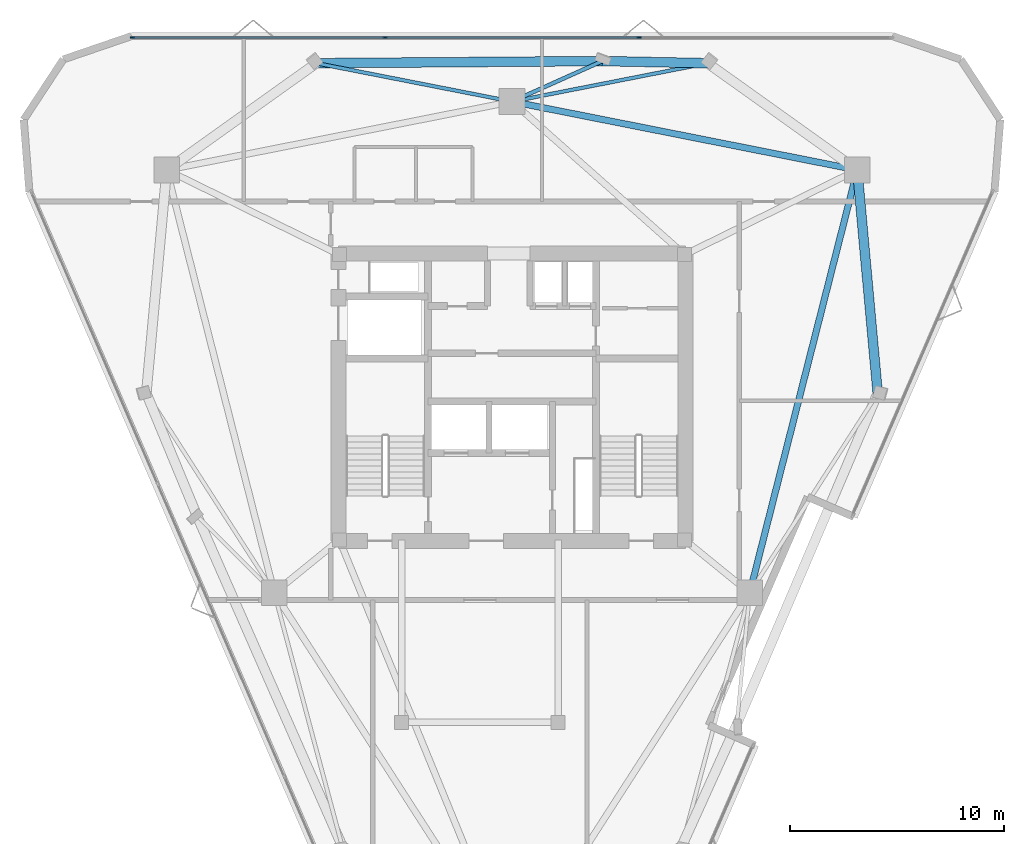
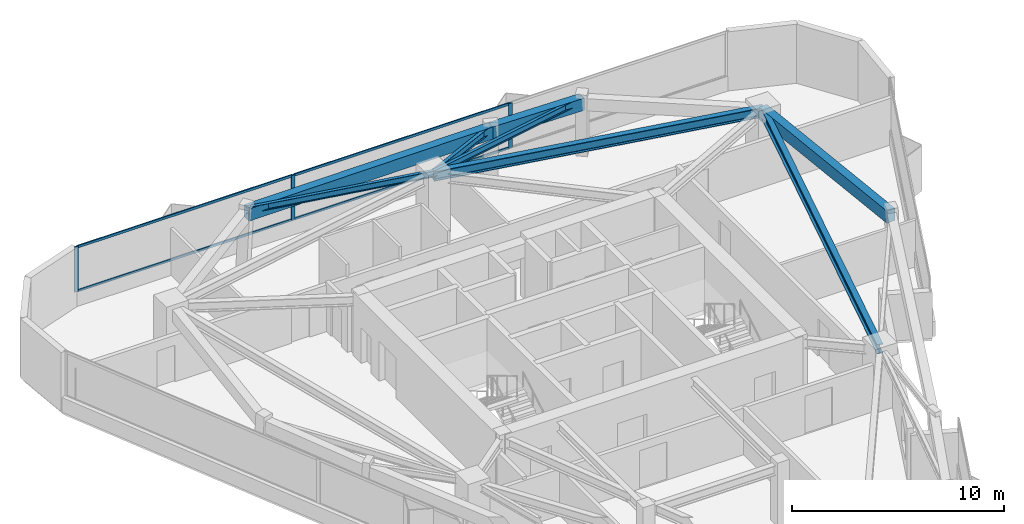
# One storey, part 5 of 10: 8 beams, 7 members, 1 element without a shape of its own.
"""IFC4 building model written with IfcOpenShell, lengths in metres."""

from ifc_helpers import new_model, si_unit, direction, frame, origin, origin_2d, place, context, subcontext, project, spatial, rectangle, i_section, extrude, material, layer, layer_set, material_profile, profile_set, type_object, element, aggregate, save


model = new_model("IFC4")

# Units and contexts
model_context = context("Model", 3, precision=1e-05, world=origin(), true_north=direction((0.0, 1.0)))
body_context = subcontext(model_context, "Body", "Model", "MODEL_VIEW")
ifc_project = project(units=[si_unit("LENGTHUNIT", "METRE"), si_unit("AREAUNIT", "SQUARE_METRE"), si_unit("VOLUMEUNIT", "CUBIC_METRE"), si_unit("PLANEANGLEUNIT", "RADIAN"), si_unit("MASSUNIT", "GRAM", prefix="KILO")], contexts=[model_context])

# Site, building, storey
site_placement = place(None, origin())
site = spatial("IfcSite", under=ifc_project, at=site_placement, CompositionType="ELEMENT")
building_placement = place(site_placement, origin())
building = spatial("IfcBuilding", under=site, at=building_placement, Name="Talyreon Biosciences Tower", CompositionType="ELEMENT")
storey_placement = place(building_placement, frame((0.0, 0.0, 260.800048828125)))
storey = spatial("IfcBuildingStorey", under=building, at=storey_placement, Name="L69", CompositionType="ELEMENT", Elevation=260.800048828125)

# Curtain wall, members
ifc_material_1 = material(Name="Thermally broken aluminium and low-E glazing", Category="aluminium")
ifc_layer = layer(ifc_material_1, 0.205078125)
ifc_layer_set = layer_set([ifc_layer], Name="Thermally broken aluminium and low-E glazing")
curtain_wall_type = type_object("IfcCurtainWallType", Name="CurtainWall_SkyGardenLoggia", PredefinedType="NOTDEFINED", material=ifc_layer_set)
curtain_wall_placement = place(storey_placement, origin())
curtain_wall = element("IfcCurtainWall", 1, at=curtain_wall_placement, inside=storey, type_object=curtain_wall_type, Name="L69 Unitised Curtain Wall FCW-L69-03", PredefinedType="NOTDEFINED")
ifc_material_2 = material(Name="Anodised thermally broken aluminium", Category="aluminium")
ifc_material_profile_1 = material_profile(ifc_material_2, rectangle(XDim=0.074951171875, YDim=0.2099609375, at=origin_2d()), Name="ALUM MULLION 75x210")
ifc_profile_set_1 = profile_set([ifc_material_profile_1], Name="Anodised thermally broken aluminium")
member_type_1 = type_object("IfcMemberType", Name="CWMullion_75x210", PredefinedType="MULLION", material=ifc_profile_set_1)
member_1_placement = place(storey_placement, frame((48.299072265625, 84.77099609375, 0.81005859375), z_axis=(0.0, 0.0, 1.0), x_axis=(0.0, 1.0, 0.0)))
member_1 = element("IfcMember", 2, at=member_1_placement, type_object=member_type_1, Name="CW7 mullion 1", PredefinedType="MULLION", context=body_context, shape_type="SweptSolid", body=[
    extrude(rectangle(XDim=0.074951171875, YDim=0.2099609375, at=origin_2d()), origin(), (0.0, 0.0, 1.0), 2.58984375),
])
member_2_placement = place(storey_placement, frame((60.087158203125, 84.77099609375, 0.81005859375), z_axis=(0.0, 0.0, 1.0), x_axis=(0.0, 1.0, 0.0)))
member_2 = element("IfcMember", 3, at=member_2_placement, type_object=member_type_1, Name="CW7 mullion 2", PredefinedType="MULLION", context=body_context, shape_type="SweptSolid", body=[
    extrude(rectangle(XDim=0.074951171875, YDim=0.2099609375, at=origin_2d()), origin(), (0.0, 0.0, 1.0), 2.58984375),
])
member_3_placement = place(storey_placement, frame((71.912841796875, 84.77099609375, 0.81005859375), z_axis=(0.0, 0.0, 1.0), x_axis=(0.0, 1.0, 0.0)))
member_3 = element("IfcMember", 4, at=member_3_placement, type_object=member_type_1, Name="CW7 mullion 3", PredefinedType="MULLION", context=body_context, shape_type="SweptSolid", body=[
    extrude(rectangle(XDim=0.074951171875, YDim=0.2099609375, at=origin_2d()), origin(), (0.0, 0.0, 1.0), 2.58984375),
])
ifc_material_profile_2 = material_profile(ifc_material_2, rectangle(XDim=0.06494140625, YDim=0.139892578125, at=origin_2d()), Name="ALUM TRANSOM 65x140")
ifc_profile_set_2 = profile_set([ifc_material_profile_2], Name="Anodised thermally broken aluminium")
member_type_2 = type_object("IfcMemberType", Name="CWTransom_65x140", PredefinedType="USERDEFINED", material=ifc_profile_set_2)
member_4_placement = place(storey_placement, frame((48.33642578125, 84.77099609375, 0.842529296875), z_axis=(1.0, 0.0, 0.0), x_axis=(0.0, 1.0, 0.0)))
member_4 = element("IfcMember", 5, at=member_4_placement, type_object=member_type_2, Name="CW7 transom 1.1", ObjectType="TRANSOM", PredefinedType="USERDEFINED", context=body_context, shape_type="SweptSolid", body=[
    extrude(rectangle(XDim=0.06494140625, YDim=0.139892578125, at=origin_2d()), origin(), (0.0, 0.0, 1.0), 11.713134765625),
])
member_5_placement = place(storey_placement, frame((48.33642578125, 84.77099609375, 3.367431640625), z_axis=(1.0, 0.0, 0.0), x_axis=(0.0, 1.0, 0.0)))
member_5 = element("IfcMember", 6, at=member_5_placement, type_object=member_type_2, Name="CW7 transom 1.2", ObjectType="TRANSOM", PredefinedType="USERDEFINED", context=body_context, shape_type="SweptSolid", body=[
    extrude(rectangle(XDim=0.06494140625, YDim=0.139892578125, at=origin_2d()), origin(), (0.0, 0.0, 1.0), 11.713134765625),
])
member_6_placement = place(storey_placement, frame((60.124755859375, 84.77099609375, 0.842529296875), z_axis=(1.0, 0.0, 0.0), x_axis=(0.0, 1.0, 0.0)))
member_6 = element("IfcMember", 7, at=member_6_placement, type_object=member_type_2, Name="CW7 transom 2.1", ObjectType="TRANSOM", PredefinedType="USERDEFINED", context=body_context, shape_type="SweptSolid", body=[
    extrude(rectangle(XDim=0.06494140625, YDim=0.139892578125, at=origin_2d()), origin(), (0.0, 0.0, 1.0), 11.75048828125),
])
member_7_placement = place(storey_placement, frame((60.124755859375, 84.77099609375, 3.367431640625), z_axis=(1.0, 0.0, 0.0), x_axis=(0.0, 1.0, 0.0)))
member_7 = element("IfcMember", 8, at=member_7_placement, type_object=member_type_2, Name="CW7 transom 2.2", ObjectType="TRANSOM", PredefinedType="USERDEFINED", context=body_context, shape_type="SweptSolid", body=[
    extrude(rectangle(XDim=0.06494140625, YDim=0.139892578125, at=origin_2d()), origin(), (0.0, 0.0, 1.0), 11.75048828125),
])
aggregate(curtain_wall, [member_1, member_2, member_3, member_4, member_5, member_6, member_7])

# Beams
ifc_material_3 = material(Name="Precast concrete C45/55", Category="concrete")
ifc_material_profile_3 = material_profile(ifc_material_3, rectangle(XDim=0.449951171875, YDim=0.699951171875, at=origin_2d()), Name="RCB 450x700")
ifc_profile_set_3 = profile_set([ifc_material_profile_3], Name="Precast concrete C45/55")
beam_type_1 = type_object("IfcBeamType", Name="ExpressedSpandrel_450x700", PredefinedType="SPANDREL", material=ifc_profile_set_3)
beam_1_placement = place(storey_placement, frame((83.054931640625, 68.18603515625, 3.050048828125), z_axis=(-0.09110835926, 0.995840984733, 0.0), x_axis=(-0.995840984733, -0.09110835926, 0.0)))
element("IfcBeam", 9, at=beam_1_placement, inside=storey, type_object=beam_type_1, Name="L69 Expressed Horizontal Concrete Spandrel 04", PredefinedType="SPANDREL", context=body_context, shape_type="SweptSolid", body=[
    extrude(rectangle(XDim=0.449951171875, YDim=0.699951171875, at=origin_2d()), origin(), (0.0, 0.0, 1.0), 10.4560546875),
])
beam_2_placement = place(storey_placement, frame((75.1259765625, 83.57861328125, 3.050048828125), z_axis=(-0.999792603536, 0.02036540975, 0.0), x_axis=(-0.02036540975, -0.999792603536, 0.0)))
element("IfcBeam", 10, at=beam_2_placement, inside=storey, type_object=beam_type_1, Name="L69 Expressed Horizontal Concrete Spandrel 06", PredefinedType="SPANDREL", context=body_context, shape_type="SweptSolid", body=[
    extrude(rectangle(XDim=0.449951171875, YDim=0.699951171875, at=origin_2d()), origin(), (0.0, 0.0, 1.0), 4.9150390625),
])
beam_3_placement = place(storey_placement, frame((70.2119140625, 83.6787109375, 3.050048828125), z_axis=(-0.999971840485, -0.007504547785, 0.0), x_axis=(0.007504547785, -0.999971840485, 0.0)))
element("IfcBeam", 11, at=beam_3_placement, inside=storey, type_object=beam_type_1, Name="L69 Expressed Horizontal Concrete Spandrel 07", PredefinedType="SPANDREL", context=body_context, shape_type="SweptSolid", body=[
    extrude(rectangle(XDim=0.449951171875, YDim=0.699951171875, at=origin_2d()), origin(), (0.0, 0.0, 1.0), 13.33837890625),
])
ifc_material_4 = material(Name="Steel SM355", Category="steel")
ifc_material_profile_4 = material_profile(ifc_material_4, i_section(OverallWidth=0.300048828125, OverallDepth=0.550048828125, WebThickness=0.014892578125, FlangeThickness=0.029052734375, FilletRadius=0.027099609375, at=origin_2d()), Name="HE550B")
ifc_profile_set_4 = profile_set([ifc_material_profile_4], Name="Steel SM355")
beam_type_2 = type_object("IfcBeamType", Name="SteelBeam_HE550B", PredefinedType="BEAM", material=ifc_profile_set_4)
beam_4_placement = place(storey_placement, frame((77.086181640625, 58.88037109375, 3.125), z_axis=(0.246537082299, 0.969133358755, 0.0), x_axis=(-0.969133358755, 0.246537082299, 0.0)))
element("IfcBeam", 12, at=beam_4_placement, inside=storey, type_object=beam_type_2, Name="L69 Mega-Ring Girder 2", PredefinedType="BEAM", context=body_context, shape_type="SweptSolid", body=[
    extrude(i_section(OverallWidth=0.300048828125, OverallDepth=0.550048828125, WebThickness=0.014892578125, FlangeThickness=0.029052734375, FilletRadius=0.027099609375, at=origin_2d()), origin(), (0.0, 0.0, 1.0), 20.34619140625),
])
beam_5_placement = place(storey_placement, frame((82.102294921875, 78.5986328125, 3.125), z_axis=(-0.980933730698, 0.194342522311, 0.0), x_axis=(-0.194342522311, -0.980933730698, 0.0)))
element("IfcBeam", 13, at=beam_5_placement, inside=storey, type_object=beam_type_2, Name="L69 Mega-Ring Girder 3", PredefinedType="BEAM", context=body_context, shape_type="SweptSolid", body=[
    extrude(i_section(OverallWidth=0.300048828125, OverallDepth=0.550048828125, WebThickness=0.014892578125, FlangeThickness=0.029052734375, FilletRadius=0.027099609375, at=origin_2d()), origin(), (0.0, 0.0, 1.0), 16.415283203125),
])
ifc_material_profile_5 = material_profile(ifc_material_4, i_section(OverallWidth=0.169921875, OverallDepth=0.360107421875, WebThickness=0.008056640625, FlangeThickness=0.0126953125, FilletRadius=0.01806640625, at=origin_2d()), Name="IPE360")
ifc_profile_set_5 = profile_set([ifc_material_profile_5], Name="Steel SM355")
beam_type_3 = type_object("IfcBeamType", Name="SteelJoist_IPE360", PredefinedType="JOIST", material=ifc_profile_set_5)
for number, where, z_axis, x_axis, name in (
    (14, (66.0, 81.788818359375, 3.219970703125), (0.981305876123, 0.1924546115, 0.0), (-0.1924546115, 0.981305876123, 0.0), "L69 Radial Composite Floor Joist PC-N1"),
    (15, (66.0, 81.788818359375, 3.219970703125), (-0.981305876123, 0.1924546115, 0.0), (-0.1924546115, -0.981305876123, 0.0), "L69 Radial Composite Floor Joist PC-N2"),
):
    element("IfcBeam", number, at=place(storey_placement, frame(where, z_axis=z_axis, x_axis=x_axis)), inside=storey, type_object=beam_type_3, Name=name, PredefinedType="JOIST", context=body_context, shape_type="SweptSolid", body=[
        extrude(i_section(OverallWidth=0.169921875, OverallDepth=0.360107421875, WebThickness=0.008056640625, FlangeThickness=0.0126953125, FilletRadius=0.01806640625, at=origin_2d()), origin(), (0.0, 0.0, 1.0), 9.2998046875),
    ])
ifc_material_profile_6 = material_profile(ifc_material_4, i_section(OverallWidth=0.179931640625, OverallDepth=0.39990234375, WebThickness=0.008544921875, FlangeThickness=0.013427734375, FilletRadius=0.02099609375, at=origin_2d()), Name="IPE400")
ifc_profile_set_6 = profile_set([ifc_material_profile_6], Name="Steel SM355")
beam_type_4 = type_object("IfcBeamType", Name="SteelJoist_IPE400", PredefinedType="JOIST", material=ifc_profile_set_6)
beam_6_placement = place(storey_placement, frame((66.0, 81.788818359375, 3.199951171875), z_axis=(0.912364279747, 0.409379311936, 0.0), x_axis=(-0.409379311936, 0.912364279747, 0.0)))
element("IfcBeam", 16, at=beam_6_placement, inside=storey, type_object=beam_type_4, Name="L69 Radial Composite Floor Joist PL-N", PredefinedType="JOIST", context=body_context, shape_type="SweptSolid", body=[
    extrude(i_section(OverallWidth=0.179931640625, OverallDepth=0.39990234375, WebThickness=0.008544921875, FlangeThickness=0.013427734375, FilletRadius=0.02099609375, at=origin_2d()), origin(), (0.0, 0.0, 1.0), 4.616455078125),
])

save(model, "model.ifc")
